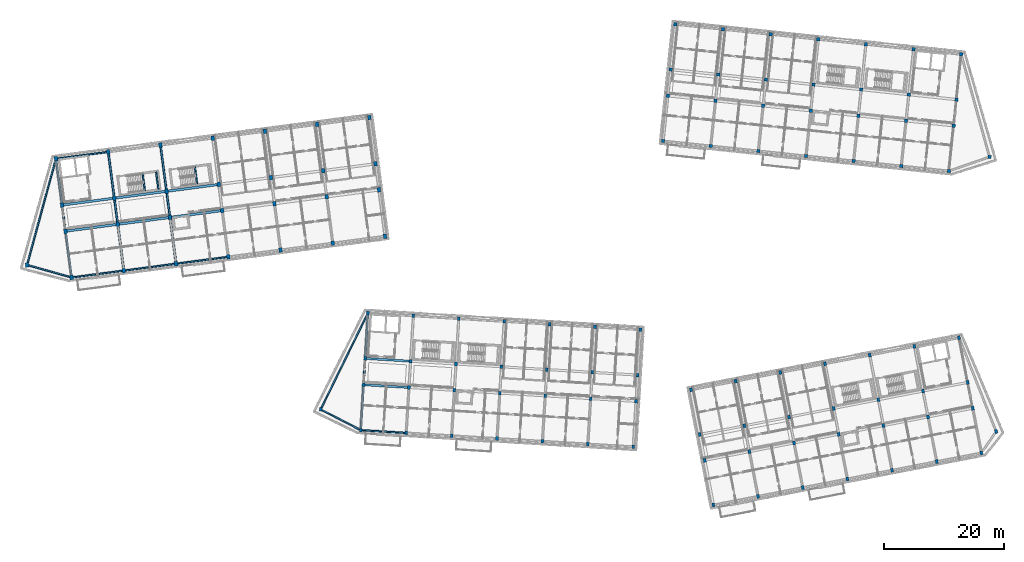
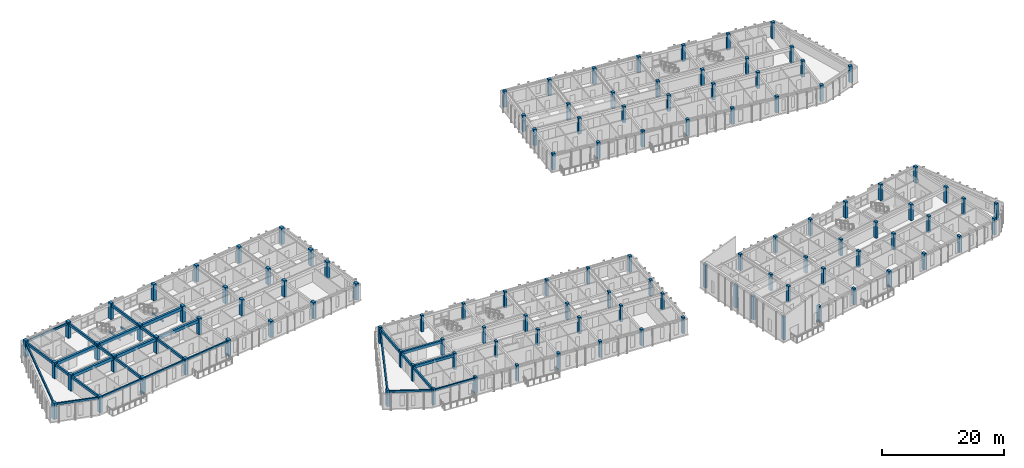
# One storey, part 1 of 65: 116 columns, 32 beams.
"""IFC4 building model written with IfcOpenShell, lengths in metres."""

from ifc_helpers import new_model, si_unit, direction, frame, origin, origin_2d, place, context, subcontext, project, spatial, rectangle, extrude, material, material_profile, profile_set, type_object, element, save


model = new_model("IFC4")

# Units and contexts
model_context = context("Model", 3, precision=1e-05, world=origin(), true_north=direction((0.0, 1.0)))
body_context = subcontext(model_context, "Body", "Model", "MODEL_VIEW")
ifc_project = project(units=[si_unit("LENGTHUNIT", "METRE"), si_unit("AREAUNIT", "SQUARE_METRE"), si_unit("VOLUMEUNIT", "CUBIC_METRE"), si_unit("PLANEANGLEUNIT", "RADIAN"), si_unit("MASSUNIT", "GRAM", prefix="KILO")], contexts=[model_context])

# Site, building, storey
site_placement = place(None, origin())
site = spatial("IfcSite", under=ifc_project, at=site_placement, CompositionType="ELEMENT")
building_placement = place(site_placement, origin())
building = spatial("IfcBuilding", under=site, at=building_placement, Name="Kestramere Prow Commons", CompositionType="ELEMENT")
storey_placement = place(building_placement, frame((0.0, 0.0, 21.39990234375)))
storey = spatial("IfcBuildingStorey", under=building, at=storey_placement, Name="L06", CompositionType="ELEMENT", Elevation=21.39990234375)

# Columns
ifc_material_1 = material(Name="Precast concrete C40/50", Category="concrete")
ifc_material_profile_1 = material_profile(ifc_material_1, rectangle(XDim=0.550048828125, YDim=0.75, at=origin_2d()), Name="PC-COL 550x750")
ifc_profile_set_1 = profile_set([ifc_material_profile_1], Name="Precast concrete C40/50")
column_type_1 = type_object("IfcColumnType", Name="C-A2 PC-COL 550x750", PredefinedType="COLUMN", material=ifc_profile_set_1)
for number, where, z_axis, x_axis, name in (
    (1, (11.199951171875, 72.0, 0.0), (0.0, 0.0, 1.0), (0.991444861374, 0.13052619222, 0.0), "Block A L06 Column 1-1"),
    (2, (10.181884765625, 79.733154296875, 0.0), (0.0, 0.0, 1.0), (0.991444861374, 0.13052619222, 0.0), "Block A L06 Column 1-2"),
    (3, (9.607666015625, 84.095703125, 0.0), (0.0, 0.0, 1.0), (0.991444861374, 0.13052619222, 0.0), "Block A L06 Column 1-3"),
    (4, (8.58935546875, 91.828857421875, 0.0), (0.0, 0.0, 1.0), (0.991444861374, 0.13052619222, 0.0), "Block A L06 Column 1-4"),
    (5, (19.9248046875, 73.148681640625, 0.0), (0.0, 0.0, 1.0), (0.991444861374, 0.13052619222, 0.0), "Block A L06 Column 2-1"),
    (6, (18.906494140625, 80.8818359375, 0.0), (0.0, 0.0, 1.0), (0.991444861374, 0.13052619222, 0.0), "Block A L06 Column 2-2"),
    (7, (18.332275390625, 85.244140625, 0.0), (0.0, 0.0, 1.0), (0.991444861374, 0.13052619222, 0.0), "Block A L06 Column 2-3"),
    (8, (17.314208984375, 92.9775390625, 0.0), (0.0, 0.0, 1.0), (0.991444861374, 0.13052619222, 0.0), "Block A L06 Column 2-4"),
    (9, (28.6494140625, 74.29736328125, 0.0), (0.0, 0.0, 1.0), (0.991444861374, 0.13052619222, 0.0), "Block A L06 Column 3-1"),
    (10, (27.63134765625, 82.030517578125, 0.0), (0.0, 0.0, 1.0), (0.991444861374, 0.13052619222, 0.0), "Block A L06 Column 3-2"),
    (11, (27.05712890625, 86.392822265625, 0.0), (0.0, 0.0, 1.0), (0.991444861374, 0.13052619222, 0.0), "Block A L06 Column 3-3"),
    (12, (26.038818359375, 94.126220703125, 0.0), (0.0, 0.0, 1.0), (0.991444861374, 0.13052619222, 0.0), "Block A L06 Column 3-4"),
    (13, (37.3740234375, 75.44580078125, 0.0), (0.0, 0.0, 1.0), (0.991444861374, 0.13052619222, 0.0), "Block A L06 Column 4-1"),
    (14, (36.35595703125, 83.17919921875, 0.0), (0.0, 0.0, 1.0), (0.991444861374, 0.13052619222, 0.0), "Block A L06 Column 4-2"),
    (15, (35.78173828125, 87.54150390625, 0.0), (0.0, 0.0, 1.0), (0.991444861374, 0.13052619222, 0.0), "Block A L06 Column 4-3"),
    (16, (34.763671875, 95.27490234375, 0.0), (0.0, 0.0, 1.0), (0.991444861374, 0.13052619222, 0.0), "Block A L06 Column 4-4"),
    (17, (46.098876953125, 76.594482421875, 0.0), (0.0, 0.0, 1.0), (0.991444861374, 0.13052619222, 0.0), "Block A L06 Column 5-1"),
    (18, (45.080810546875, 84.327880859375, 0.0), (0.0, 0.0, 1.0), (0.991444861374, 0.13052619222, 0.0), "Block A L06 Column 5-2"),
    (19, (44.50634765625, 88.690185546875, 0.0), (0.0, 0.0, 1.0), (0.991444861374, 0.13052619222, 0.0), "Block A L06 Column 5-3"),
    (20, (43.48828125, 96.42333984375, 0.0), (0.0, 0.0, 1.0), (0.991444861374, 0.13052619222, 0.0), "Block A L06 Column 5-4"),
    (21, (54.823486328125, 77.7431640625, 0.0), (0.0, 0.0, 1.0), (0.991444861374, 0.13052619222, 0.0), "Block A L06 Column 6-1"),
    (22, (53.805419921875, 85.476318359375, 0.0), (0.0, 0.0, 1.0), (0.991444861374, 0.13052619222, 0.0), "Block A L06 Column 6-2"),
    (23, (53.231201171875, 89.8388671875, 0.0), (0.0, 0.0, 1.0), (0.991444861374, 0.13052619222, 0.0), "Block A L06 Column 6-3"),
    (24, (52.213134765625, 97.572021484375, 0.0), (0.0, 0.0, 1.0), (0.991444861374, 0.13052619222, 0.0), "Block A L06 Column 6-4"),
    (25, (63.54833984375, 78.891845703125, 0.0), (0.0, 0.0, 1.0), (0.991444861374, 0.13052619222, 0.0), "Block A L06 Column 7-1"),
    (26, (62.5302734375, 86.625, 0.0), (0.0, 0.0, 1.0), (0.991444861374, 0.13052619222, 0.0), "Block A L06 Column 7-2"),
    (27, (61.955810546875, 90.9873046875, 0.0), (0.0, 0.0, 1.0), (0.991444861374, 0.13052619222, 0.0), "Block A L06 Column 7-3"),
    (28, (60.937744140625, 98.720703125, 0.0), (0.0, 0.0, 1.0), (0.991444861374, 0.13052619222, 0.0), "Block A L06 Column 7-4"),
    (29, (3.7626953125, 74.09716796875, 0.0), (0.0, 0.0, 1.0), (0.991444861374, 0.13052619222, 0.0), "Block A L06 Prow Apex Column"),
):
    element("IfcColumn", number, at=place(storey_placement, frame(where, z_axis=z_axis, x_axis=x_axis)), inside=storey, type_object=column_type_1, Name=name, PredefinedType="COLUMN", context=body_context, shape_type="SweptSolid", body=[
        extrude(rectangle(XDim=0.550048828125, YDim=0.75, at=origin_2d()), origin(), (0.0, 0.0, 1.0), 3.25),
    ])
ifc_material_profile_2 = material_profile(ifc_material_1, rectangle(XDim=0.550048828125, YDim=0.550048828125, at=origin_2d()), Name="PC-COL 550x550")
ifc_profile_set_2 = profile_set([ifc_material_profile_2], Name="Precast concrete C40/50")
column_type_2 = type_object("IfcColumnType", Name="C-B2 PC-COL 550x550", PredefinedType="COLUMN", material=ifc_profile_set_2)
for number, where, z_axis, x_axis, name in (
    (30, (110.0, 94.800048828125, 0.0), (0.0, 0.0, 1.0), (0.994521895368, -0.104528463268, 0.0), "Block B L06 Column 1-1"),
    (31, (110.79443359375, 102.3583984375, 0.0), (0.0, 0.0, 1.0), (0.994521895368, -0.104528463268, 0.0), "Block B L06 Column 1-2"),
    (32, (111.25439453125, 106.734375, 0.0), (0.0, 0.0, 1.0), (0.994521895368, -0.104528463268, 0.0), "Block B L06 Column 1-3"),
    (33, (112.048828125, 114.292724609375, 0.0), (0.0, 0.0, 1.0), (0.994521895368, -0.104528463268, 0.0), "Block B L06 Column 1-4"),
    (34, (117.9560546875, 93.9638671875, 0.0), (0.0, 0.0, 1.0), (0.994521895368, -0.104528463268, 0.0), "Block B L06 Column 2-1"),
    (35, (118.75048828125, 101.522216796875, 0.0), (0.0, 0.0, 1.0), (0.994521895368, -0.104528463268, 0.0), "Block B L06 Column 2-2"),
    (36, (119.21044921875, 105.89794921875, 0.0), (0.0, 0.0, 1.0), (0.994521895368, -0.104528463268, 0.0), "Block B L06 Column 2-3"),
    (37, (120.0048828125, 113.456298828125, 0.0), (0.0, 0.0, 1.0), (0.994521895368, -0.104528463268, 0.0), "Block B L06 Column 2-4"),
    (38, (125.912353515625, 93.12744140625, 0.0), (0.0, 0.0, 1.0), (0.994521895368, -0.104528463268, 0.0), "Block B L06 Column 3-1"),
    (39, (126.706787109375, 100.685791015625, 0.0), (0.0, 0.0, 1.0), (0.994521895368, -0.104528463268, 0.0), "Block B L06 Column 3-2"),
    (40, (127.166748046875, 105.061767578125, 0.0), (0.0, 0.0, 1.0), (0.994521895368, -0.104528463268, 0.0), "Block B L06 Column 3-3"),
    (41, (127.961181640625, 112.6201171875, 0.0), (0.0, 0.0, 1.0), (0.994521895368, -0.104528463268, 0.0), "Block B L06 Column 3-4"),
    (42, (133.868408203125, 92.291259765625, 0.0), (0.0, 0.0, 1.0), (0.994521895368, -0.104528463268, 0.0), "Block B L06 Column 4-1"),
    (43, (134.662841796875, 99.849609375, 0.0), (0.0, 0.0, 1.0), (0.994521895368, -0.104528463268, 0.0), "Block B L06 Column 4-2"),
    (44, (135.122802734375, 104.2255859375, 0.0), (0.0, 0.0, 1.0), (0.994521895368, -0.104528463268, 0.0), "Block B L06 Column 4-3"),
    (45, (135.917236328125, 111.783935546875, 0.0), (0.0, 0.0, 1.0), (0.994521895368, -0.104528463268, 0.0), "Block B L06 Column 4-4"),
    (46, (141.82470703125, 91.455078125, 0.0), (0.0, 0.0, 1.0), (0.994521895368, -0.104528463268, 0.0), "Block B L06 Column 5-1"),
    (47, (142.619140625, 99.013427734375, 0.0), (0.0, 0.0, 1.0), (0.994521895368, -0.104528463268, 0.0), "Block B L06 Column 5-2"),
    (48, (143.0791015625, 103.389404296875, 0.0), (0.0, 0.0, 1.0), (0.994521895368, -0.104528463268, 0.0), "Block B L06 Column 5-3"),
    (49, (143.87353515625, 110.94775390625, 0.0), (0.0, 0.0, 1.0), (0.994521895368, -0.104528463268, 0.0), "Block B L06 Column 5-4"),
    (50, (149.78076171875, 90.618896484375, 0.0), (0.0, 0.0, 1.0), (0.994521895368, -0.104528463268, 0.0), "Block B L06 Column 6-1"),
    (51, (150.5751953125, 98.17724609375, 0.0), (0.0, 0.0, 1.0), (0.994521895368, -0.104528463268, 0.0), "Block B L06 Column 6-2"),
    (52, (151.03515625, 102.55322265625, 0.0), (0.0, 0.0, 1.0), (0.994521895368, -0.104528463268, 0.0), "Block B L06 Column 6-3"),
    (53, (151.82958984375, 110.111572265625, 0.0), (0.0, 0.0, 1.0), (0.994521895368, -0.104528463268, 0.0), "Block B L06 Column 6-4"),
    (54, (157.737060546875, 89.78271484375, 0.0), (0.0, 0.0, 1.0), (0.994521895368, -0.104528463268, 0.0), "Block B L06 Column 7-1"),
    (55, (158.531494140625, 97.341064453125, 0.0), (0.0, 0.0, 1.0), (0.994521895368, -0.104528463268, 0.0), "Block B L06 Column 7-2"),
    (56, (158.991455078125, 101.716796875, 0.0), (0.0, 0.0, 1.0), (0.994521895368, -0.104528463268, 0.0), "Block B L06 Column 7-3"),
    (57, (159.785888671875, 109.275146484375, 0.0), (0.0, 0.0, 1.0), (0.994521895368, -0.104528463268, 0.0), "Block B L06 Column 7-4"),
    (58, (164.520263671875, 92.136474609375, 0.0), (0.0, 0.0, 1.0), (0.994521895368, -0.104528463268, 0.0), "Block B L06 Prow Apex Column"),
):
    element("IfcColumn", number, at=place(storey_placement, frame(where, z_axis=z_axis, x_axis=x_axis)), inside=storey, type_object=column_type_2, Name=name, PredefinedType="COLUMN", context=body_context, shape_type="SweptSolid", body=[
        extrude(rectangle(XDim=0.550048828125, YDim=0.550048828125, at=origin_2d()), origin(), (0.0, 0.0, 1.0), 3.25),
    ])
ifc_material_profile_3 = material_profile(ifc_material_1, rectangle(XDim=0.449951171875, YDim=0.60009765625, at=origin_2d()), Name="PC-COL 450x600")
ifc_profile_set_3 = profile_set([ifc_material_profile_3], Name="Precast concrete C40/50")
column_type_3 = type_object("IfcColumnType", Name="C-C3 PC-COL 450x600", PredefinedType="COLUMN", material=ifc_profile_set_3)
for number, where, z_axis, x_axis, name in (
    (59, (59.5, 46.5, 0.0), (0.0, 0.0, 1.0), (0.998134798422, -0.061048539535, 0.0), "Block C L06 Column 1-1"),
    (60, (59.9638671875, 54.0859375, 0.0), (0.0, 0.0, 1.0), (0.998134798422, -0.061048539535, 0.0), "Block C L06 Column 1-2"),
    (61, (60.232666015625, 58.4775390625, 0.0), (0.0, 0.0, 1.0), (0.998134798422, -0.061048539535, 0.0), "Block C L06 Column 1-3"),
    (62, (60.696533203125, 66.0634765625, 0.0), (0.0, 0.0, 1.0), (0.998134798422, -0.061048539535, 0.0), "Block C L06 Column 1-4"),
    (63, (67.0859375, 46.0361328125, 0.0), (0.0, 0.0, 1.0), (0.998134798422, -0.061048539535, 0.0), "Block C L06 Column 2-1"),
    (64, (67.5498046875, 53.621826171875, 0.0), (0.0, 0.0, 1.0), (0.998134798422, -0.061048539535, 0.0), "Block C L06 Column 2-2"),
    (65, (67.818359375, 58.013671875, 0.0), (0.0, 0.0, 1.0), (0.998134798422, -0.061048539535, 0.0), "Block C L06 Column 2-3"),
    (66, (68.282470703125, 65.599365234375, 0.0), (0.0, 0.0, 1.0), (0.998134798422, -0.061048539535, 0.0), "Block C L06 Column 2-4"),
    (67, (74.671630859375, 45.572021484375, 0.0), (0.0, 0.0, 1.0), (0.998134798422, -0.061048539535, 0.0), "Block C L06 Column 3-1"),
    (68, (75.135498046875, 53.157958984375, 0.0), (0.0, 0.0, 1.0), (0.998134798422, -0.061048539535, 0.0), "Block C L06 Column 3-2"),
    (69, (75.404296875, 57.549560546875, 0.0), (0.0, 0.0, 1.0), (0.998134798422, -0.061048539535, 0.0), "Block C L06 Column 3-3"),
    (70, (75.8681640625, 65.135498046875, 0.0), (0.0, 0.0, 1.0), (0.998134798422, -0.061048539535, 0.0), "Block C L06 Column 3-4"),
    (71, (82.257568359375, 45.108154296875, 0.0), (0.0, 0.0, 1.0), (0.998134798422, -0.061048539535, 0.0), "Block C L06 Column 4-1"),
    (72, (82.721435546875, 52.69384765625, 0.0), (0.0, 0.0, 1.0), (0.998134798422, -0.061048539535, 0.0), "Block C L06 Column 4-2"),
    (73, (82.989990234375, 57.085693359375, 0.0), (0.0, 0.0, 1.0), (0.998134798422, -0.061048539535, 0.0), "Block C L06 Column 4-3"),
    (74, (83.4541015625, 64.671630859375, 0.0), (0.0, 0.0, 1.0), (0.998134798422, -0.061048539535, 0.0), "Block C L06 Column 4-4"),
    (75, (89.84326171875, 44.64404296875, 0.0), (0.0, 0.0, 1.0), (0.998134798422, -0.061048539535, 0.0), "Block C L06 Column 5-1"),
    (76, (90.307373046875, 52.22998046875, 0.0), (0.0, 0.0, 1.0), (0.998134798422, -0.061048539535, 0.0), "Block C L06 Column 5-2"),
    (77, (90.575927734375, 56.621826171875, 0.0), (0.0, 0.0, 1.0), (0.998134798422, -0.061048539535, 0.0), "Block C L06 Column 5-3"),
    (78, (91.039794921875, 64.20751953125, 0.0), (0.0, 0.0, 1.0), (0.998134798422, -0.061048539535, 0.0), "Block C L06 Column 5-4"),
    (79, (97.42919921875, 44.18017578125, 0.0), (0.0, 0.0, 1.0), (0.998134798422, -0.061048539535, 0.0), "Block C L06 Column 6-1"),
    (80, (97.89306640625, 51.765869140625, 0.0), (0.0, 0.0, 1.0), (0.998134798422, -0.061048539535, 0.0), "Block C L06 Column 6-2"),
    (81, (98.16162109375, 56.15771484375, 0.0), (0.0, 0.0, 1.0), (0.998134798422, -0.061048539535, 0.0), "Block C L06 Column 6-3"),
    (82, (98.625732421875, 63.74365234375, 0.0), (0.0, 0.0, 1.0), (0.998134798422, -0.061048539535, 0.0), "Block C L06 Column 6-4"),
    (83, (105.014892578125, 43.71630859375, 0.0), (0.0, 0.0, 1.0), (0.998134798422, -0.061048539535, 0.0), "Block C L06 Column 7-1"),
    (84, (105.47900390625, 51.302001953125, 0.0), (0.0, 0.0, 1.0), (0.998134798422, -0.061048539535, 0.0), "Block C L06 Column 7-2"),
    (85, (105.74755859375, 55.69384765625, 0.0), (0.0, 0.0, 1.0), (0.998134798422, -0.061048539535, 0.0), "Block C L06 Column 7-3"),
    (86, (106.21142578125, 63.279541015625, 0.0), (0.0, 0.0, 1.0), (0.998134798422, -0.061048539535, 0.0), "Block C L06 Column 7-4"),
    (87, (52.799072265625, 49.965576171875, 0.0), (0.0, 0.0, 1.0), (0.998134798422, -0.061048539535, 0.0), "Block C L06 Prow Apex Column"),
):
    element("IfcColumn", number, at=place(storey_placement, frame(where, z_axis=z_axis, x_axis=x_axis)), inside=storey, type_object=column_type_3, Name=name, PredefinedType="COLUMN", context=body_context, shape_type="SweptSolid", body=[
        extrude(rectangle(XDim=0.449951171875, YDim=0.60009765625, at=origin_2d()), origin(), (0.0, 0.0, 1.0), 3.25),
    ])
ifc_material_profile_4 = material_profile(ifc_material_1, rectangle(XDim=0.449951171875, YDim=0.64990234375, at=origin_2d()), Name="PC-COL 450x650")
ifc_profile_set_4 = profile_set([ifc_material_profile_4], Name="Precast concrete C40/50")
column_type_4 = type_object("IfcColumnType", Name="C-D3 PC-COL 450x650", PredefinedType="COLUMN", material=ifc_profile_set_4)
for number, where, z_axis, x_axis, name in (
    (88, (118.39990234375, 34.0, 0.0), (0.0, 0.0, 1.0), (0.981627183448, 0.190808995377, 0.0), "Block D L06 Column 1-1"),
    (89, (116.949951171875, 41.46044921875, 0.0), (0.0, 0.0, 1.0), (0.981627183448, 0.190808995377, 0.0), "Block D L06 Column 1-2"),
    (90, (116.1103515625, 45.779541015625, 0.0), (0.0, 0.0, 1.0), (0.981627183448, 0.190808995377, 0.0), "Block D L06 Column 1-3"),
    (91, (114.66015625, 53.239990234375, 0.0), (0.0, 0.0, 1.0), (0.981627183448, 0.190808995377, 0.0), "Block D L06 Column 1-4"),
):
    element("IfcColumn", number, at=place(storey_placement, frame(where, z_axis=z_axis, x_axis=x_axis)), inside=storey, type_object=column_type_4, Name=name, PredefinedType="COLUMN", context=body_context, shape_type="SweptSolid", body=[
        extrude(rectangle(XDim=0.449951171875, YDim=0.64990234375, at=origin_2d()), origin(), (0.0, 0.0, 1.0), 4.60986328125),
    ])
for number, where, z_axis, x_axis, name in (
    (92, (125.8603515625, 35.4501953125, 0.0), (0.0, 0.0, 1.0), (0.981627183448, 0.190808995377, 0.0), "Block D L06 Column 2-1"),
    (93, (124.41015625, 42.910400390625, 0.0), (0.0, 0.0, 1.0), (0.981627183448, 0.190808995377, 0.0), "Block D L06 Column 2-2"),
    (94, (123.570556640625, 47.229736328125, 0.0), (0.0, 0.0, 1.0), (0.981627183448, 0.190808995377, 0.0), "Block D L06 Column 2-3"),
    (95, (122.12060546875, 54.68994140625, 0.0), (0.0, 0.0, 1.0), (0.981627183448, 0.190808995377, 0.0), "Block D L06 Column 2-4"),
    (96, (133.32080078125, 36.900390625, 0.0), (0.0, 0.0, 1.0), (0.981627183448, 0.190808995377, 0.0), "Block D L06 Column 3-1"),
    (97, (131.87060546875, 44.360595703125, 0.0), (0.0, 0.0, 1.0), (0.981627183448, 0.190808995377, 0.0), "Block D L06 Column 3-2"),
    (98, (131.031005859375, 48.679931640625, 0.0), (0.0, 0.0, 1.0), (0.981627183448, 0.190808995377, 0.0), "Block D L06 Column 3-3"),
    (99, (129.580810546875, 56.14013671875, 0.0), (0.0, 0.0, 1.0), (0.981627183448, 0.190808995377, 0.0), "Block D L06 Column 3-4"),
    (100, (140.781005859375, 38.350341796875, 0.0), (0.0, 0.0, 1.0), (0.981627183448, 0.190808995377, 0.0), "Block D L06 Column 4-1"),
    (101, (139.3310546875, 45.810791015625, 0.0), (0.0, 0.0, 1.0), (0.981627183448, 0.190808995377, 0.0), "Block D L06 Column 4-2"),
    (102, (138.491455078125, 50.1298828125, 0.0), (0.0, 0.0, 1.0), (0.981627183448, 0.190808995377, 0.0), "Block D L06 Column 4-3"),
    (103, (137.041259765625, 57.59033203125, 0.0), (0.0, 0.0, 1.0), (0.981627183448, 0.190808995377, 0.0), "Block D L06 Column 4-4"),
    (104, (148.241455078125, 39.800537109375, 0.0), (0.0, 0.0, 1.0), (0.981627183448, 0.190808995377, 0.0), "Block D L06 Column 5-1"),
    (105, (146.791259765625, 47.260986328125, 0.0), (0.0, 0.0, 1.0), (0.981627183448, 0.190808995377, 0.0), "Block D L06 Column 5-2"),
    (106, (145.95166015625, 51.580078125, 0.0), (0.0, 0.0, 1.0), (0.981627183448, 0.190808995377, 0.0), "Block D L06 Column 5-3"),
    (107, (144.501708984375, 59.04052734375, 0.0), (0.0, 0.0, 1.0), (0.981627183448, 0.190808995377, 0.0), "Block D L06 Column 5-4"),
    (108, (155.701904296875, 41.250732421875, 0.0), (0.0, 0.0, 1.0), (0.981627183448, 0.190808995377, 0.0), "Block D L06 Column 6-1"),
    (109, (154.251708984375, 48.711181640625, 0.0), (0.0, 0.0, 1.0), (0.981627183448, 0.190808995377, 0.0), "Block D L06 Column 6-2"),
    (110, (153.412109375, 53.0302734375, 0.0), (0.0, 0.0, 1.0), (0.981627183448, 0.190808995377, 0.0), "Block D L06 Column 6-3"),
    (111, (151.9619140625, 60.49072265625, 0.0), (0.0, 0.0, 1.0), (0.981627183448, 0.190808995377, 0.0), "Block D L06 Column 6-4"),
    (112, (163.162109375, 42.700927734375, 0.0), (0.0, 0.0, 1.0), (0.981627183448, 0.190808995377, 0.0), "Block D L06 Column 7-1"),
    (113, (161.712158203125, 50.161376953125, 0.0), (0.0, 0.0, 1.0), (0.981627183448, 0.190808995377, 0.0), "Block D L06 Column 7-2"),
    (114, (160.87255859375, 54.48046875, 0.0), (0.0, 0.0, 1.0), (0.981627183448, 0.190808995377, 0.0), "Block D L06 Column 7-3"),
    (115, (159.42236328125, 61.940673828125, 0.0), (0.0, 0.0, 1.0), (0.981627183448, 0.190808995377, 0.0), "Block D L06 Column 7-4"),
    (116, (165.623291015625, 46.286376953125, 0.0), (0.0, 0.0, 1.0), (0.981627183448, 0.190808995377, 0.0), "Block D L06 Prow Apex Column"),
):
    element("IfcColumn", number, at=place(storey_placement, frame(where, z_axis=z_axis, x_axis=x_axis)), inside=storey, type_object=column_type_4, Name=name, PredefinedType="COLUMN", context=body_context, shape_type="SweptSolid", body=[
        extrude(rectangle(XDim=0.449951171875, YDim=0.64990234375, at=origin_2d()), origin(), (0.0, 0.0, 1.0), 3.25),
    ])

# Beams
ifc_material_profile_5 = material_profile(ifc_material_1, rectangle(XDim=0.39990234375, YDim=0.60009765625, at=origin_2d()), Name="PC-BM 400x600")
ifc_profile_set_5 = profile_set([ifc_material_profile_5], Name="Precast concrete C40/50")
beam_type_1 = type_object("IfcBeamType", Name="BM-A1 PC-BM 400x600", PredefinedType="BEAM", material=ifc_profile_set_5)
for number, where, z_axis, x_axis, name in (
    (117, (10.45458984375, 79.76904296875, 2.7001953125), (0.991443917843, 0.130533358852, 0.0), (-0.130533358852, 0.991443917843, 0.0), "Block A L06 Longitudinal Beam 2-1"),
    (118, (19.17919921875, 80.917724609375, 2.7001953125), (0.991443917843, 0.130533358852, 0.0), (-0.130533358852, 0.991443917843, 0.0), "Block A L06 Longitudinal Beam 2-2"),
    (119, (27.904052734375, 82.06640625, 2.7001953125), (0.991443917843, 0.130533358852, 0.0), (-0.130533358852, 0.991443917843, 0.0), "Block A L06 Longitudinal Beam 2-3"),
    (120, (9.880126953125, 84.131591796875, 2.7001953125), (0.991447747213, 0.130504270221, 0.0), (-0.130504270221, 0.991447747213, 0.0), "Block A L06 Longitudinal Beam 3-1"),
    (121, (18.60498046875, 85.2802734375, 2.7001953125), (0.991447747213, 0.130504270221, 0.0), (-0.130504270221, 0.991447747213, 0.0), "Block A L06 Longitudinal Beam 3-2"),
    (122, (27.32958984375, 86.4287109375, 2.7001953125), (0.991443917843, 0.130533358852, 0.0), (-0.130533358852, 0.991443917843, 0.0), "Block A L06 Longitudinal Beam 3-3"),
):
    element("IfcBeam", number, at=place(storey_placement, frame(where, z_axis=z_axis, x_axis=x_axis)), inside=storey, type_object=beam_type_1, Name=name, PredefinedType="BEAM", context=body_context, shape_type="SweptSolid", body=[
        extrude(rectangle(XDim=0.39990234375, YDim=0.60009765625, at=origin_2d()), origin(), (0.0, 0.0, 1.0), 8.25),
    ])
ifc_material_profile_6 = material_profile(ifc_material_1, rectangle(XDim=0.35009765625, YDim=0.550048828125, at=origin_2d()), Name="PC-BM 350x550")
ifc_profile_set_6 = profile_set([ifc_material_profile_6], Name="Precast concrete C40/50")
beam_type_2 = type_object("IfcBeamType", Name="BM-C1 PC-BM 350x550", PredefinedType="BEAM", material=ifc_profile_set_6)
beam_1_placement = place(storey_placement, frame((60.1884765625, 54.072021484375, 2.72509765625), z_axis=(0.998134602239, -0.061051747017, 0.0), x_axis=(0.061051747017, 0.998134602239, 0.0)))
element("IfcBeam", 123, at=beam_1_placement, inside=storey, type_object=beam_type_2, Name="Block C L06 Longitudinal Beam 2-1", PredefinedType="BEAM", context=body_context, shape_type="SweptSolid", body=[
    extrude(rectangle(XDim=0.35009765625, YDim=0.550048828125, at=origin_2d()), origin(), (0.0, 0.0, 1.0), 7.150146484375),
])
beam_2_placement = place(storey_placement, frame((60.457275390625, 58.4638671875, 2.72509765625), z_axis=(0.998134474962, -0.061053827828, 0.0), x_axis=(0.061053827828, 0.998134474962, 0.0)))
element("IfcBeam", 124, at=beam_2_placement, inside=storey, type_object=beam_type_2, Name="Block C L06 Longitudinal Beam 3-1", PredefinedType="BEAM", context=body_context, shape_type="SweptSolid", body=[
    extrude(rectangle(XDim=0.35009765625, YDim=0.550048828125, at=origin_2d()), origin(), (0.0, 0.0, 1.0), 7.14990234375),
])
ifc_material_2 = material(Name="Concrete C40/50", Category="concrete")
ifc_material_profile_7 = material_profile(ifc_material_2, rectangle(XDim=0.25, YDim=0.35009765625, at=origin_2d()), Name="PC-BM 250x350")
ifc_profile_set_7 = profile_set([ifc_material_profile_7], Name="Concrete C40/50")
beam_type_3 = type_object("IfcBeamType", Name="BM-ST-TRIM", PredefinedType="BEAM", material=ifc_profile_set_7)
for number, where, z_axis, x_axis, name in (
    (125, (23.4384765625, 86.451171875, 1.25), (-0.130520071219, 0.9914456672, 0.0), (-0.9914456672, -0.130520071219, 0.0), "ST-A1 L06 Landing Trimmer Beam 1A"),
    (126, (25.698974609375, 86.748779296875, 1.25), (-0.130520071219, 0.9914456672, 0.0), (-0.9914456672, -0.130520071219, 0.0), "ST-A1 L06 Landing Trimmer Beam 1B"),
):
    element("IfcBeam", number, at=place(storey_placement, frame(where, z_axis=z_axis, x_axis=x_axis)), inside=storey, type_object=beam_type_3, Name=name, PredefinedType="BEAM", context=body_context, shape_type="SweptSolid", body=[
        extrude(rectangle(XDim=0.25, YDim=0.35009765625, at=origin_2d()), origin(), (0.0, 0.0, 1.0), 2.889892578125),
    ])
beam_3_placement = place(storey_placement, frame((32.1630859375, 87.599609375, 1.25), z_axis=(-0.130509140242, 0.99144710616, 0.0), x_axis=(-0.99144710616, -0.130509140242, 0.0)))
element("IfcBeam", 127, at=beam_3_placement, inside=storey, type_object=beam_type_3, Name="ST-A2 L06 Landing Trimmer Beam 1A", PredefinedType="BEAM", context=body_context, shape_type="SweptSolid", body=[
    extrude(rectangle(XDim=0.25, YDim=0.35009765625, at=origin_2d()), origin(), (0.0, 0.0, 1.0), 2.89013671875),
])
ifc_material_profile_8 = material_profile(ifc_material_1, rectangle(XDim=0.300048828125, YDim=0.5, at=origin_2d()), Name="PC-BM 300x500")
ifc_profile_set_8 = profile_set([ifc_material_profile_8], Name="Precast concrete C40/50")
beam_type_4 = type_object("IfcBeamType", Name="BM-TIE-01 PC-BM 300x500", PredefinedType="BEAM", material=ifc_profile_set_8)
beam_4_placement = place(storey_placement, frame((11.151123046875, 72.371826171875, 2.75), z_axis=(-0.130519009654, 0.99144580695, 0.0), x_axis=(-0.99144580695, -0.130519009654, 0.0)))
element("IfcBeam", 128, at=beam_4_placement, inside=storey, type_object=beam_type_4, Name="Block A L06 Transverse Beam 1-1", PredefinedType="BEAM", context=body_context, shape_type="SweptSolid", body=[
    extrude(rectangle(XDim=0.300048828125, YDim=0.5, at=origin_2d()), origin(), (0.0, 0.0, 1.0), 7.050048828125),
])
beam_5_placement = place(storey_placement, frame((10.133056640625, 80.10498046875, 2.75), z_axis=(-0.13056005306, 0.991440402921, 0.0), x_axis=(-0.991440402921, -0.13056005306, 0.0)))
element("IfcBeam", 129, at=beam_5_placement, inside=storey, type_object=beam_type_4, Name="Block A L06 Transverse Beam 1-2", PredefinedType="BEAM", context=body_context, shape_type="SweptSolid", body=[
    extrude(rectangle(XDim=0.300048828125, YDim=0.5, at=origin_2d()), origin(), (0.0, 0.0, 1.0), 3.650146484375),
])
for number, where, z_axis, x_axis, name in (
    (130, (9.55859375, 84.467529296875, 2.75), (-0.130523490966, 0.991445216997, 0.0), (-0.991445216997, -0.130523490966, 0.0), "Block A L06 Transverse Beam 1-3"),
    (131, (19.875732421875, 73.5205078125, 2.75), (-0.130523490966, 0.991445216997, 0.0), (-0.991445216997, -0.130523490966, 0.0), "Block A L06 Transverse Beam 2-1"),
):
    element("IfcBeam", number, at=place(storey_placement, frame(where, z_axis=z_axis, x_axis=x_axis)), inside=storey, type_object=beam_type_4, Name=name, PredefinedType="BEAM", context=body_context, shape_type="SweptSolid", body=[
        extrude(rectangle(XDim=0.300048828125, YDim=0.5, at=origin_2d()), origin(), (0.0, 0.0, 1.0), 7.0498046875),
    ])
beam_6_placement = place(storey_placement, frame((18.857666015625, 81.253662109375, 2.75), z_axis=(-0.130494307047, 0.991449058615, 0.0), x_axis=(-0.991449058615, -0.130494307047, 0.0)))
element("IfcBeam", 132, at=beam_6_placement, inside=storey, type_object=beam_type_4, Name="Block A L06 Transverse Beam 2-2", PredefinedType="BEAM", context=body_context, shape_type="SweptSolid", body=[
    extrude(rectangle(XDim=0.300048828125, YDim=0.5, at=origin_2d()), origin(), (0.0, 0.0, 1.0), 3.650146484375),
])
for number, where, z_axis, x_axis, name in (
    (133, (18.283447265625, 85.615966796875, 2.75), (-0.130553049113, 0.991441325227, 0.0), (-0.991441325227, -0.130553049113, 0.0), "Block A L06 Transverse Beam 2-3"),
    (134, (28.6005859375, 74.6689453125, 2.75), (-0.130553049113, 0.991441325227, 0.0), (-0.991441325227, -0.130553049113, 0.0), "Block A L06 Transverse Beam 3-1"),
):
    element("IfcBeam", number, at=place(storey_placement, frame(where, z_axis=z_axis, x_axis=x_axis)), inside=storey, type_object=beam_type_4, Name=name, PredefinedType="BEAM", context=body_context, shape_type="SweptSolid", body=[
        extrude(rectangle(XDim=0.300048828125, YDim=0.5, at=origin_2d()), origin(), (0.0, 0.0, 1.0), 7.050048828125),
    ])
beam_7_placement = place(storey_placement, frame((27.582275390625, 82.40234375, 2.75), z_axis=(-0.130502961205, 0.991447919518, 0.0), x_axis=(-0.991447919518, -0.130502961205, 0.0)))
element("IfcBeam", 135, at=beam_7_placement, inside=storey, type_object=beam_type_4, Name="Block A L06 Transverse Beam 3-2", PredefinedType="BEAM", context=body_context, shape_type="SweptSolid", body=[
    extrude(rectangle(XDim=0.300048828125, YDim=0.5, at=origin_2d()), origin(), (0.0, 0.0, 1.0), 3.64990234375),
])
beam_8_placement = place(storey_placement, frame((27.008056640625, 86.7646484375, 2.75), z_axis=(-0.130519009654, 0.99144580695, 0.0), x_axis=(-0.99144580695, -0.130519009654, 0.0)))
element("IfcBeam", 136, at=beam_8_placement, inside=storey, type_object=beam_type_4, Name="Block A L06 Transverse Beam 3-3", PredefinedType="BEAM", context=body_context, shape_type="SweptSolid", body=[
    extrude(rectangle(XDim=0.300048828125, YDim=0.5, at=origin_2d()), origin(), (0.0, 0.0, 1.0), 7.050048828125),
])
beam_9_placement = place(storey_placement, frame((59.518310546875, 46.799560546875, 2.75), z_axis=(0.061036313012, 0.998135546153, 0.0), x_axis=(-0.998135546153, 0.061036313012, 0.0)))
element("IfcBeam", 137, at=beam_9_placement, inside=storey, type_object=beam_type_4, Name="Block C L06 Transverse Beam 1-1", PredefinedType="BEAM", context=body_context, shape_type="SweptSolid", body=[
    extrude(rectangle(XDim=0.300048828125, YDim=0.5, at=origin_2d()), origin(), (0.0, 0.0, 1.0), 6.999755859375),
])
beam_10_placement = place(storey_placement, frame((59.982177734375, 54.38525390625, 2.75), z_axis=(0.061098306988, 0.998131753269, 0.0), x_axis=(-0.998131753269, 0.061098306988, 0.0)))
element("IfcBeam", 138, at=beam_10_placement, inside=storey, type_object=beam_type_4, Name="Block C L06 Transverse Beam 1-2", PredefinedType="BEAM", context=body_context, shape_type="SweptSolid", body=[
    extrude(rectangle(XDim=0.300048828125, YDim=0.5, at=origin_2d()), origin(), (0.0, 0.0, 1.0), 3.800048828125),
])
beam_11_placement = place(storey_placement, frame((60.2509765625, 58.777099609375, 2.75), z_axis=(0.061036313012, 0.998135546153, 0.0), x_axis=(-0.998135546153, 0.061036313012, 0.0)))
element("IfcBeam", 139, at=beam_11_placement, inside=storey, type_object=beam_type_4, Name="Block C L06 Transverse Beam 1-3", PredefinedType="BEAM", context=body_context, shape_type="SweptSolid", body=[
    extrude(rectangle(XDim=0.300048828125, YDim=0.5, at=origin_2d()), origin(), (0.0, 0.0, 1.0), 6.999755859375),
])
ifc_material_profile_9 = material_profile(ifc_material_1, rectangle(XDim=0.25, YDim=0.39990234375, at=origin_2d()), Name="PC-SP 250x400")
ifc_profile_set_9 = profile_set([ifc_material_profile_9], Name="Precast concrete C40/50")
beam_type_5 = type_object("IfcBeamType", Name="SP-EXT-01 PC-SP 250x400", PredefinedType="SPANDREL", material=ifc_profile_set_9)
beam_12_placement = place(storey_placement, frame((10.930419921875, 72.075927734375, 2.800048828125), z_axis=(-0.96246176941, 0.271417284681, 0.0), x_axis=(-0.271417284681, -0.96246176941, 0.0)))
element("IfcBeam", 140, at=beam_12_placement, inside=storey, type_object=beam_type_5, Name="Block A L06 Prow Facet Beam S", PredefinedType="SPANDREL", context=body_context, shape_type="SweptSolid", body=[
    extrude(rectangle(XDim=0.25, YDim=0.39990234375, at=origin_2d()), origin(), (0.0, 0.0, 1.0), 7.167236328125),
])
beam_13_placement = place(storey_placement, frame((8.515869140625, 91.558837890625, 2.800048828125), z_axis=(-0.262653591278, -0.964890196338, 0.0), x_axis=(0.964890196338, -0.262653591278, 0.0)))
element("IfcBeam", 141, at=beam_13_placement, inside=storey, type_object=beam_type_5, Name="Block A L06 Prow Facet Beam N", PredefinedType="SPANDREL", context=body_context, shape_type="SweptSolid", body=[
    extrude(rectangle(XDim=0.25, YDim=0.39990234375, at=origin_2d()), origin(), (0.0, 0.0, 1.0), 17.81689453125),
])
for number, where, z_axis, x_axis, name in (
    (142, (11.47265625, 72.035888671875, 2.800048828125), (0.991443917843, 0.130533358852, 0.0), (-0.130533358852, 0.991443917843, 0.0), "Block A L06 Longitudinal Beam 1-1"),
    (143, (20.197265625, 73.1845703125, 2.800048828125), (0.991443917843, 0.130533358852, 0.0), (-0.130533358852, 0.991443917843, 0.0), "Block A L06 Longitudinal Beam 1-2"),
    (144, (28.922119140625, 74.333251953125, 2.800048828125), (0.991447747213, 0.130504270221, 0.0), (-0.130504270221, 0.991447747213, 0.0), "Block A L06 Longitudinal Beam 1-3"),
    (145, (8.862060546875, 91.86474609375, 2.800048828125), (0.991443917843, 0.130533358852, 0.0), (-0.130533358852, 0.991443917843, 0.0), "Block A L06 Longitudinal Beam 4-1"),
):
    element("IfcBeam", number, at=place(storey_placement, frame(where, z_axis=z_axis, x_axis=x_axis)), inside=storey, type_object=beam_type_5, Name=name, PredefinedType="SPANDREL", context=body_context, shape_type="SweptSolid", body=[
        extrude(rectangle(XDim=0.25, YDim=0.39990234375, at=origin_2d()), origin(), (0.0, 0.0, 1.0), 8.25),
    ])
beam_14_placement = place(storey_placement, frame((59.251220703125, 46.628662109375, 2.800048828125), z_axis=(-0.888240269485, 0.459379171998, 0.0), x_axis=(-0.459379171998, -0.888240269485, 0.0)))
element("IfcBeam", 146, at=beam_14_placement, inside=storey, type_object=beam_type_5, Name="Block C L06 Prow Facet Beam S", PredefinedType="SPANDREL", context=body_context, shape_type="SweptSolid", body=[
    extrude(rectangle(XDim=0.25, YDim=0.39990234375, at=origin_2d()), origin(), (0.0, 0.0, 1.0), 6.98388671875),
])
beam_15_placement = place(storey_placement, frame((60.5732421875, 65.81201171875, 2.800048828125), z_axis=(-0.440448933016, -0.897777665909, 0.0), x_axis=(0.897777665909, -0.440448933016, 0.0)))
element("IfcBeam", 147, at=beam_15_placement, inside=storey, type_object=beam_type_5, Name="Block C L06 Prow Facet Beam N", PredefinedType="SPANDREL", context=body_context, shape_type="SweptSolid", body=[
    extrude(rectangle(XDim=0.25, YDim=0.39990234375, at=origin_2d()), origin(), (0.0, 0.0, 1.0), 17.37060546875),
])
beam_16_placement = place(storey_placement, frame((59.724609375, 46.486328125, 2.800048828125), z_axis=(0.998134602239, -0.061051747017, 0.0), x_axis=(0.061051747017, 0.998134602239, 0.0)))
element("IfcBeam", 148, at=beam_16_placement, inside=storey, type_object=beam_type_5, Name="Block C L06 Longitudinal Beam 1-1", PredefinedType="SPANDREL", context=body_context, shape_type="SweptSolid", body=[
    extrude(rectangle(XDim=0.25, YDim=0.39990234375, at=origin_2d()), origin(), (0.0, 0.0, 1.0), 7.150146484375),
])

save(model, "model.ifc")
